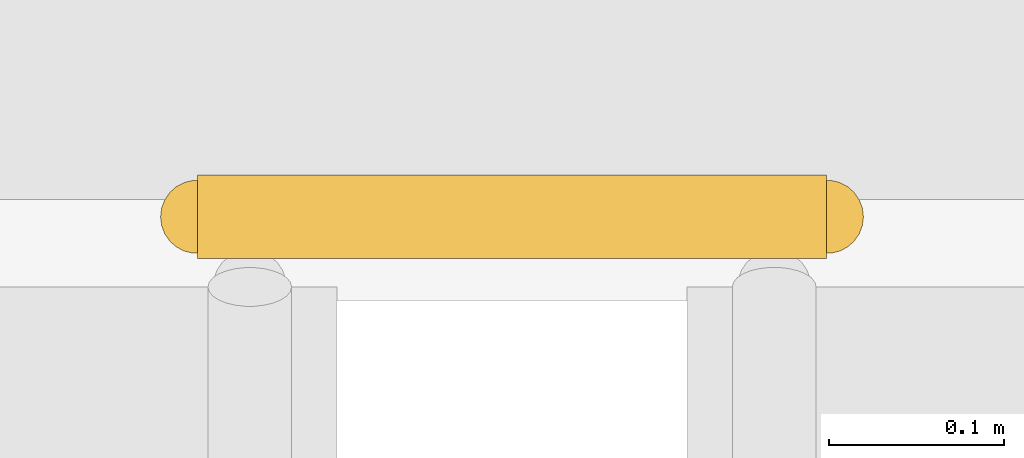
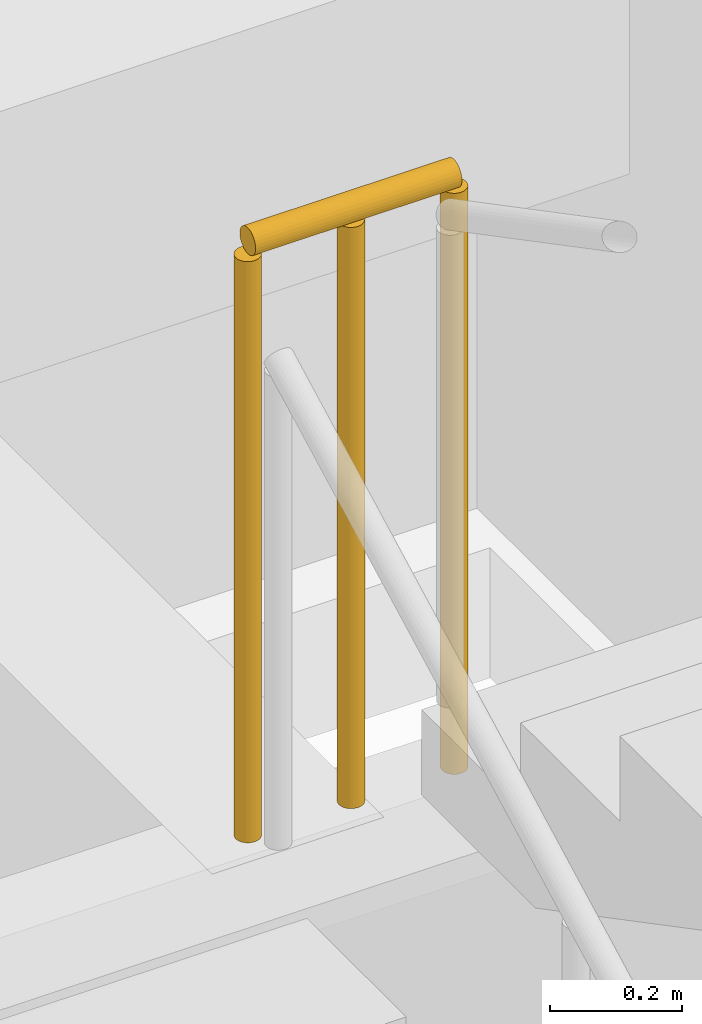
# One storey, part 45 of 50: 1 railing.
"""IFC4 building model written with IfcOpenShell, lengths in metres."""

from ifc_helpers import new_model, si_unit, direction, frame, origin, origin_2d, place, context, subcontext, project, spatial, circle, extrude, material, type_object, element, save


model = new_model("IFC4")

# Units and contexts
model_context = context("Model", 3, precision=1e-05, world=origin(), true_north=direction((0.0, 1.0)))
body_context = subcontext(model_context, "Body", "Model", "MODEL_VIEW")
ifc_project = project(units=[si_unit("LENGTHUNIT", "METRE"), si_unit("AREAUNIT", "SQUARE_METRE"), si_unit("VOLUMEUNIT", "CUBIC_METRE"), si_unit("PLANEANGLEUNIT", "RADIAN"), si_unit("MASSUNIT", "GRAM", prefix="KILO"), si_unit("THERMODYNAMICTEMPERATUREUNIT", "KELVIN"), si_unit("POWERUNIT", "WATT")], contexts=[model_context])

# Site, building, storey
site_placement = place(None, origin())
site = spatial("IfcSite", under=ifc_project, at=site_placement, CompositionType="ELEMENT")
building_placement = place(site_placement, origin())
building = spatial("IfcBuilding", under=site, at=building_placement, Name="Tavuni Mirador Residences", CompositionType="ELEMENT")
storey_placement = place(building_placement, frame((0.0, 0.0, 4.5)))
storey = spatial("IfcBuildingStorey", under=building, at=storey_placement, Name="L01", CompositionType="ELEMENT", Elevation=4.5)

# Railing
ifc_material = material(Name="Structural steel S355", Category="steel")
railing_type = type_object("IfcRailingType", Name="RT-GR1120", PredefinedType="GUARDRAIL", material=ifc_material)
railing_placement = place(storey_placement, frame((12.419921875, 76.5400390625, 1.574951171875)))
element("IfcRailing", 1, at=railing_placement, inside=storey, type_object=railing_type, Name="GRD-HL-ST3-L01", PredefinedType="GUARDRAIL", context=body_context, shape_type="SweptSolid", body=[
    extrude(circle(Radius=0.02392578125, at=origin_2d()), frame((0.0, 0.0, 1.09619140625), z_axis=(1.0, 0.0, 0.0), x_axis=(0.0, 1.0, 0.0)), (0.0, 0.0, 1.0), 0.360107421875),
    extrude(circle(Radius=0.02099609375, at=origin_2d()), origin(), (0.0, 0.0, 1.0), 1.072021484375),
    extrude(circle(Radius=0.02099609375, at=origin_2d()), frame((0.18017578125, 0.0, 0.0)), (0.0, 0.0, 1.0), 1.072021484375),
    extrude(circle(Radius=0.02099609375, at=origin_2d()), frame((0.360107421875, 0.0, 0.0)), (0.0, 0.0, 1.0), 1.072021484375),
])

save(model, "model.ifc")
